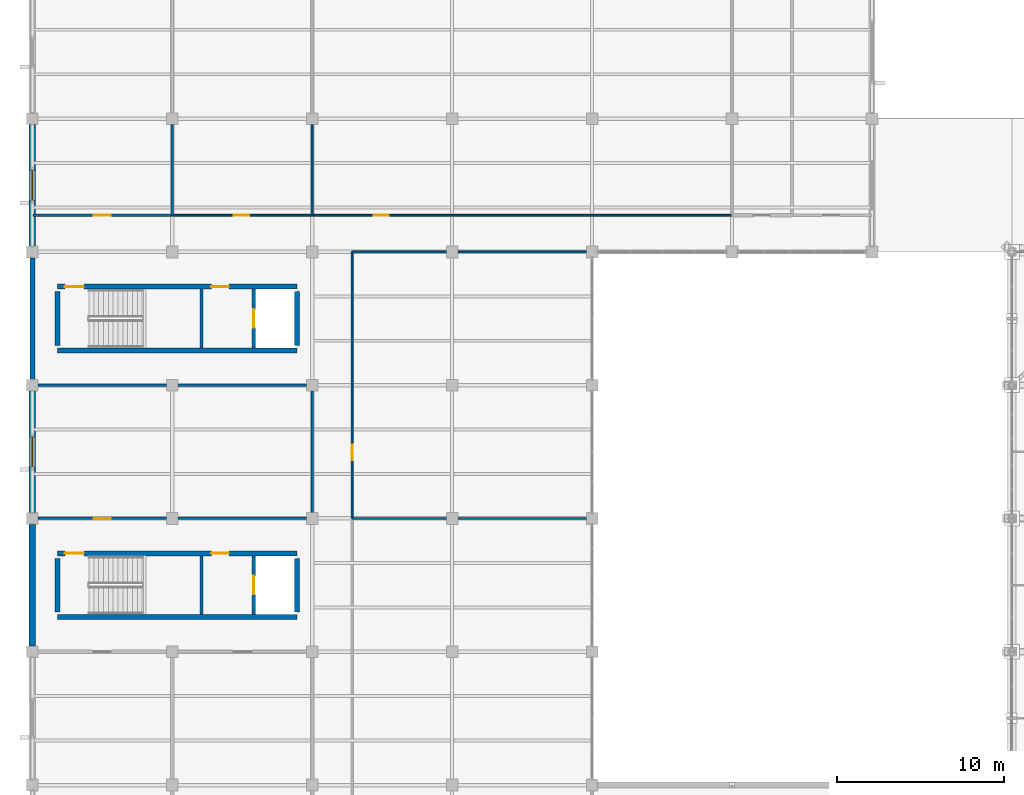
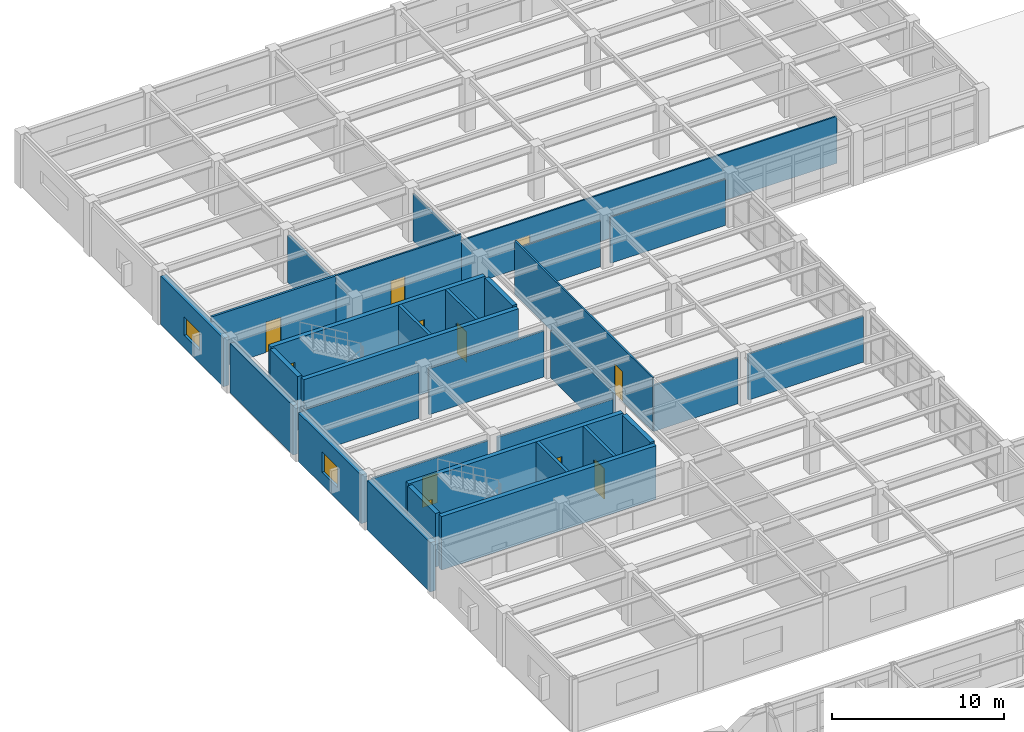
# One storey, part 74 of 138: 31 walls, 11 doors, 2 windows, 13 openings.
"""IFC4 building model written with IfcOpenShell, lengths in metres."""

from ifc_helpers import new_model, si_unit, direction, frame, frame_2d, origin, place, context, subcontext, project, spatial, rectangle, extrude, material, layer, layer_set, type_object, element, fill, save


model = new_model("IFC4")

# Units and contexts
model_context = context("Model", 3, precision=1e-05, world=origin(), true_north=direction((0.0, 1.0)))
body_context = subcontext(model_context, "Body", "Model", "MODEL_VIEW")
ifc_project = project(units=[si_unit("LENGTHUNIT", "METRE"), si_unit("AREAUNIT", "SQUARE_METRE"), si_unit("VOLUMEUNIT", "CUBIC_METRE"), si_unit("PLANEANGLEUNIT", "RADIAN"), si_unit("MASSUNIT", "GRAM", prefix="KILO")], contexts=[model_context])

# Site, building, storey
site_placement = place(None, origin())
site = spatial("IfcSite", under=ifc_project, at=site_placement, CompositionType="ELEMENT")
building_placement = place(site_placement, origin())
building = spatial("IfcBuilding", under=site, at=building_placement, Name="Kranzveld Transit Interchange", CompositionType="ELEMENT")
storey_placement = place(building_placement, frame((0.0, 0.0, 5.43994140625)))
storey = spatial("IfcBuildingStorey", under=building, at=storey_placement, Name="L01", CompositionType="ELEMENT", Elevation=5.43994140625)

# Wall
ifc_material_1 = material(Name="Concrete C40/50", Category="concrete")
ifc_layer_1 = layer(ifc_material_1, 0.300048828125)
ifc_layer_set_1 = layer_set([ifc_layer_1], Name="Concrete C40/50")
wall_type_1 = type_object("IfcWallType", Name="Core Shear Wall RC 300 C40/50", PredefinedType="SHEAR", material=ifc_layer_set_1)
wall_1_placement = place(storey_placement, frame((1.5, 66.090087890625, 0.0), z_axis=(0.0, 0.0, 1.0), x_axis=(1.0, 0.0, 0.0)))
element("IfcWall", 1, at=wall_1_placement, inside=storey, type_object=wall_type_1, Name="L01 Operations Core C1 Shear Wall S", PredefinedType="SHEAR", context=body_context, shape_type="SweptSolid", body=[
    extrude(rectangle(XDim=14.39990234375, YDim=0.300048828125, at=frame_2d((7.199951171875, 0.0))), origin(), (0.0, 0.0, 1.0), 3.800048828125),
])

# Wall, openings, doors
wall_2_placement = place(storey_placement, frame((1.5, 69.909912109375, 0.0), z_axis=(0.0, 0.0, 1.0), x_axis=(1.0, 0.0, 0.0)))
wall_2 = element("IfcWall", 2, at=wall_2_placement, inside=storey, type_object=wall_type_1, Name="L01 Operations Core C1 Shear Wall N", PredefinedType="SHEAR", context=body_context, shape_type="SweptSolid", body=[
    extrude(rectangle(XDim=14.39990234375, YDim=0.300048828125, at=frame_2d((7.199951171875, 0.0))), origin(), (0.0, 0.0, 1.0), 3.800048828125),
])
opening_1_placement = place(wall_2_placement, frame((0.449951171875, 0.0, 0.0), z_axis=(0.0, 0.0, 1.0), x_axis=(1.0, 0.0, 0.0)))
opening_1 = element("IfcOpeningElement", 3, at=opening_1_placement, cuts=wall_2, Name="Opening D-ST-C1-L01", PredefinedType="OPENING", context=body_context, shape_type="SweptSolid", body=[
    extrude(rectangle(XDim=1.14990234375, YDim=2.14990234375, at=frame_2d((0.574951171875, 1.074951171875))), frame((0.0, 0.159912109375, 0.0), z_axis=(0.0, -1.0, 0.0), x_axis=(1.0, 0.0, 0.0)), (0.0, 0.0, 1.0), 0.320068359375),
])
opening_2_placement = place(wall_2_placement, frame((9.25, 0.0, 0.0), z_axis=(0.0, 0.0, 1.0), x_axis=(1.0, 0.0, 0.0)))
opening_2 = element("IfcOpeningElement", 4, at=opening_2_placement, cuts=wall_2, Name="Opening D-LB-C1-L01", PredefinedType="OPENING", context=body_context, shape_type="SweptSolid", body=[
    extrude(rectangle(XDim=1.050048828125, YDim=2.14990234375, at=frame_2d((0.52490234375, 1.074951171875))), frame((0.0, 0.159912109375, 0.0), z_axis=(0.0, -1.0, 0.0), x_axis=(1.0, 0.0, 0.0)), (0.0, 0.0, 1.0), 0.320068359375),
])
ifc_material_2 = material(Name="Steel S355JR", Category="steel")
door_type_1 = type_object("IfcDoorType", Name="Lift Lobby Fire Door 1050x2150 FD120S", OperationType="NOTDEFINED", PredefinedType="DOOR", material=ifc_material_2)
door_1_placement = place(opening_2_placement, origin())
door_1 = element("IfcDoor", 5, at=door_1_placement, inside=storey, type_object=door_type_1, Name="L01 Operations Core C1 Lift Protected Lobby Door", OperationType="SINGLE_SWING_RIGHT", OverallHeight=2.14990234375, OverallWidth=1.050048828125, PredefinedType="DOOR", context=body_context, shape_type="SweptSolid", body=[
    extrude(rectangle(XDim=1.050048828125, YDim=2.14990234375, at=frame_2d((0.52490234375, 1.074951171875))), frame((0.0, 0.02490234375, 0.0), z_axis=(0.0, -1.0, 0.0), x_axis=(1.0, 0.0, 0.0)), (0.0, 0.0, 1.0), 0.050048828125),
])
fill(opening_2, door_1)
ifc_material_3 = material(Name="Steel S355JR", Category="steel")
door_type_2 = type_object("IfcDoorType", Name="Stair Core Fire Door 1150x2150 FD120S", OperationType="NOTDEFINED", PredefinedType="DOOR", material=ifc_material_3)
door_2_placement = place(opening_1_placement, origin())
door_2 = element("IfcDoor", 6, at=door_2_placement, inside=storey, type_object=door_type_2, Name="L01 ST-C1 Protected Stair Door", OperationType="SINGLE_SWING_RIGHT", OverallHeight=2.14990234375, OverallWidth=1.14990234375, PredefinedType="DOOR", context=body_context, shape_type="SweptSolid", body=[
    extrude(rectangle(XDim=1.14990234375, YDim=2.14990234375, at=frame_2d((0.574951171875, 1.074951171875))), frame((0.0, 0.02490234375, 0.0), z_axis=(0.0, -1.0, 0.0), x_axis=(1.0, 0.0, 0.0)), (0.0, 0.0, 1.0), 0.050048828125),
])
fill(opening_1, door_2)

# Walls
for number, where, z_axis, x_axis, name in (
    (7, (1.5, 66.389892578125, 0.0), (0.0, 0.0, 1.0), (0.0, 1.0, 0.0), "L01 Operations Core C1 Shear Wall W"),
    (8, (15.89990234375, 66.389892578125, 0.0), (0.0, 0.0, 1.0), (0.0, 1.0, 0.0), "L01 Operations Core C1 Shear Wall E"),
):
    element("IfcWall", number, at=place(storey_placement, frame(where, z_axis=z_axis, x_axis=x_axis)), inside=storey, type_object=wall_type_1, Name=name, PredefinedType="SHEAR", context=body_context, shape_type="SweptSolid", body=[
        extrude(rectangle(XDim=3.22021484375, YDim=0.300048828125, at=frame_2d((1.610107421875, 0.0))), origin(), (0.0, 0.0, 1.0), 3.800048828125),
    ])
wall_3_placement = place(storey_placement, frame((1.5, 82.090087890625, 0.0), z_axis=(0.0, 0.0, 1.0), x_axis=(1.0, 0.0, 0.0)))
element("IfcWall", 9, at=wall_3_placement, inside=storey, type_object=wall_type_1, Name="L01 Operations Core C2 Shear Wall S", PredefinedType="SHEAR", context=body_context, shape_type="SweptSolid", body=[
    extrude(rectangle(XDim=14.39990234375, YDim=0.300048828125, at=frame_2d((7.199951171875, 0.0))), origin(), (0.0, 0.0, 1.0), 3.800048828125),
])

# Wall, openings, doors
wall_4_placement = place(storey_placement, frame((1.5, 85.909912109375, 0.0), z_axis=(0.0, 0.0, 1.0), x_axis=(1.0, 0.0, 0.0)))
wall_4 = element("IfcWall", 10, at=wall_4_placement, inside=storey, type_object=wall_type_1, Name="L01 Operations Core C2 Shear Wall N", PredefinedType="SHEAR", context=body_context, shape_type="SweptSolid", body=[
    extrude(rectangle(XDim=14.39990234375, YDim=0.300048828125, at=frame_2d((7.199951171875, 0.0))), origin(), (0.0, 0.0, 1.0), 3.800048828125),
])
opening_3_placement = place(wall_4_placement, frame((0.449951171875, 0.0, 0.0), z_axis=(0.0, 0.0, 1.0), x_axis=(1.0, 0.0, 0.0)))
opening_3 = element("IfcOpeningElement", 11, at=opening_3_placement, cuts=wall_4, Name="Opening D-ST-C2-L01", PredefinedType="OPENING", context=body_context, shape_type="SweptSolid", body=[
    extrude(rectangle(XDim=1.14990234375, YDim=2.14990234375, at=frame_2d((0.574951171875, 1.074951171875))), frame((0.0, 0.159912109375, 0.0), z_axis=(0.0, -1.0, 0.0), x_axis=(1.0, 0.0, 0.0)), (0.0, 0.0, 1.0), 0.320068359375),
])
opening_4_placement = place(wall_4_placement, frame((9.25, 0.0, 0.0), z_axis=(0.0, 0.0, 1.0), x_axis=(1.0, 0.0, 0.0)))
opening_4 = element("IfcOpeningElement", 12, at=opening_4_placement, cuts=wall_4, Name="Opening D-LB-C2-L01", PredefinedType="OPENING", context=body_context, shape_type="SweptSolid", body=[
    extrude(rectangle(XDim=1.050048828125, YDim=2.14990234375, at=frame_2d((0.52490234375, 1.074951171875))), frame((0.0, 0.159912109375, 0.0), z_axis=(0.0, -1.0, 0.0), x_axis=(1.0, 0.0, 0.0)), (0.0, 0.0, 1.0), 0.320068359375),
])
door_3_placement = place(opening_4_placement, origin())
door_3 = element("IfcDoor", 13, at=door_3_placement, inside=storey, type_object=door_type_1, Name="L01 Operations Core C2 Lift Protected Lobby Door", OperationType="SINGLE_SWING_RIGHT", OverallHeight=2.14990234375, OverallWidth=1.050048828125, PredefinedType="DOOR", context=body_context, shape_type="SweptSolid", body=[
    extrude(rectangle(XDim=1.050048828125, YDim=2.14990234375, at=frame_2d((0.52490234375, 1.074951171875))), frame((0.0, 0.02490234375, 0.0), z_axis=(0.0, -1.0, 0.0), x_axis=(1.0, 0.0, 0.0)), (0.0, 0.0, 1.0), 0.050048828125),
])
fill(opening_4, door_3)
door_4_placement = place(opening_3_placement, origin())
door_4 = element("IfcDoor", 14, at=door_4_placement, inside=storey, type_object=door_type_2, Name="L01 ST-C2 Protected Stair Door", OperationType="SINGLE_SWING_RIGHT", OverallHeight=2.14990234375, OverallWidth=1.14990234375, PredefinedType="DOOR", context=body_context, shape_type="SweptSolid", body=[
    extrude(rectangle(XDim=1.14990234375, YDim=2.14990234375, at=frame_2d((0.574951171875, 1.074951171875))), frame((0.0, 0.02490234375, 0.0), z_axis=(0.0, -1.0, 0.0), x_axis=(1.0, 0.0, 0.0)), (0.0, 0.0, 1.0), 0.050048828125),
])
fill(opening_3, door_4)

# Walls
for number, where, z_axis, x_axis, name in (
    (15, (1.5, 82.389892578125, 0.0), (0.0, 0.0, 1.0), (0.0, 1.0, 0.0), "L01 Operations Core C2 Shear Wall W"),
    (16, (15.89990234375, 82.389892578125, 0.0), (0.0, 0.0, 1.0), (0.0, 1.0, 0.0), "L01 Operations Core C2 Shear Wall E"),
):
    element("IfcWall", number, at=place(storey_placement, frame(where, z_axis=z_axis, x_axis=x_axis)), inside=storey, type_object=wall_type_1, Name=name, PredefinedType="SHEAR", context=body_context, shape_type="SweptSolid", body=[
        extrude(rectangle(XDim=3.22021484375, YDim=0.300048828125, at=frame_2d((1.610107421875, 0.0))), origin(), (0.0, 0.0, 1.0), 3.800048828125),
    ])
ifc_material_4 = material(Name="Pretoria red-purple clinker clay face brick, 35 MPa", Category="masonry")
ifc_layer_2 = layer(ifc_material_4, 0.3798828125)
ifc_layer_set_2 = layer_set([ifc_layer_2], Name="Pretoria red-purple clinker clay face brick, 35 MPa")
wall_type_2 = type_object("IfcWallType", Name="Exterior Cavity Wall Red Clinker 380", PredefinedType="SOLIDWALL", material=ifc_layer_set_2)
wall_5_placement = place(storey_placement, frame((0.0, 64.35009765625, 0.0), z_axis=(0.0, 0.0, 1.0), x_axis=(0.0, 1.0, 0.0)))
element("IfcWall", 17, at=wall_5_placement, inside=storey, type_object=wall_type_2, Name="L01 Clinker Facade Wall 01/J-01/K", PredefinedType="SOLIDWALL", context=body_context, shape_type="SweptSolid", body=[
    extrude(rectangle(XDim=7.2998046875, YDim=0.3798828125, at=frame_2d((3.64990234375, 0.0))), origin(), (0.0, 0.0, 1.0), 3.5),
])

# Wall, opening, window
wall_6_placement = place(storey_placement, frame((0.0, 72.35009765625, 0.0), z_axis=(0.0, 0.0, 1.0), x_axis=(0.0, 1.0, 0.0)))
wall_6 = element("IfcWall", 18, at=wall_6_placement, inside=storey, type_object=wall_type_2, Name="L01 Clinker Facade Wall 01/K-01/L", PredefinedType="SOLIDWALL", context=body_context, shape_type="SweptSolid", body=[
    extrude(rectangle(XDim=7.2998046875, YDim=0.3798828125, at=frame_2d((3.64990234375, 0.0))), origin(), (0.0, 0.0, 1.0), 3.442138671875),
])
opening_5_placement = place(wall_6_placement, frame((2.75, 0.0, 0.89990234375), z_axis=(0.0, 0.0, 1.0), x_axis=(1.0, 0.0, 0.0)))
opening_5 = element("IfcOpeningElement", 19, at=opening_5_placement, cuts=wall_6, Name="Opening W-11", PredefinedType="OPENING", context=body_context, shape_type="SweptSolid", body=[
    extrude(rectangle(XDim=1.800048828125, YDim=1.449951171875, at=frame_2d((0.89990234375, 0.72509765625))), frame((0.0, 0.199951171875, 0.0), z_axis=(0.0, -1.0, 0.0), x_axis=(1.0, 0.0, 0.0)), (0.0, 0.0, 1.0), 0.39990234375),
])
ifc_material_5 = material(Name="Solar-control double glazing", Category="glass")
window_type_1 = type_object("IfcWindowType", Name="Window Office Double 1800x1450", PartitioningType="DOUBLE_PANEL_VERTICAL", PredefinedType="WINDOW", material=ifc_material_5)
window_1_placement = place(opening_5_placement, origin())
window_1 = element("IfcWindow", 20, at=window_1_placement, inside=storey, type_object=window_type_1, Name="L01 Facade Window 01/K", OverallHeight=1.449951171875, OverallWidth=1.800048828125, PartitioningType="DOUBLE_PANEL_VERTICAL", PredefinedType="WINDOW", context=body_context, shape_type="SweptSolid", body=[
    extrude(rectangle(XDim=1.800048828125, YDim=1.449951171875, at=frame_2d((0.89990234375, 0.72509765625))), frame((0.0, 0.030029296875, 0.0), z_axis=(0.0, -1.0, 0.0), x_axis=(1.0, 0.0, 0.0)), (0.0, 0.0, 1.0), 0.06005859375),
])
fill(opening_5, window_1)

wall_7_placement = place(storey_placement, frame((0.0, 88.35009765625, 0.0), z_axis=(0.0, 0.0, 1.0), x_axis=(0.0, 1.0, 0.0)))
wall_7 = element("IfcWall", 21, at=wall_7_placement, inside=storey, type_object=wall_type_2, Name="L01 Clinker Facade Wall 01/M-01/N", PredefinedType="SOLIDWALL", context=body_context, shape_type="SweptSolid", body=[
    extrude(rectangle(XDim=7.2998046875, YDim=0.3798828125, at=frame_2d((3.64990234375, 0.0))), origin(), (0.0, 0.0, 1.0), 3.442138671875),
])
opening_6_placement = place(wall_7_placement, frame((2.75, 0.0, 0.89990234375), z_axis=(0.0, 0.0, 1.0), x_axis=(1.0, 0.0, 0.0)))
opening_6 = element("IfcOpeningElement", 22, at=opening_6_placement, cuts=wall_7, Name="Opening W-12", PredefinedType="OPENING", context=body_context, shape_type="SweptSolid", body=[
    extrude(rectangle(XDim=1.800048828125, YDim=1.300048828125, at=frame_2d((0.89990234375, 0.64990234375))), frame((0.0, 0.199951171875, 0.0), z_axis=(0.0, -1.0, 0.0), x_axis=(1.0, 0.0, 0.0)), (0.0, 0.0, 1.0), 0.39990234375),
])
ifc_material_6 = material(Name="Solar-control double glazing", Category="glass")
window_type_2 = type_object("IfcWindowType", Name="Window Studio Double 1800x1300", PartitioningType="DOUBLE_PANEL_VERTICAL", PredefinedType="WINDOW", material=ifc_material_6)
window_2_placement = place(opening_6_placement, origin())
window_2 = element("IfcWindow", 23, at=window_2_placement, inside=storey, type_object=window_type_2, Name="L01 Facade Window 01/M", OverallHeight=1.300048828125, OverallWidth=1.800048828125, PartitioningType="DOUBLE_PANEL_VERTICAL", PredefinedType="WINDOW", context=body_context, shape_type="SweptSolid", body=[
    extrude(rectangle(XDim=1.800048828125, YDim=1.300048828125, at=frame_2d((0.89990234375, 0.64990234375))), frame((0.0, 0.030029296875, 0.0), z_axis=(0.0, -1.0, 0.0), x_axis=(1.0, 0.0, 0.0)), (0.0, 0.0, 1.0), 0.06005859375),
])
fill(opening_6, window_2)

# Wall
ifc_material_7 = material(Name="Ochre Pretoria sandstone cladding, 45 MPa", Category="masonry")
ifc_layer_3 = layer(ifc_material_7, 0.300048828125)
ifc_layer_set_3 = layer_set([ifc_layer_3], Name="Ochre Pretoria sandstone cladding, 45 MPa")
wall_type_3 = type_object("IfcWallType", Name="Exterior Sandstone Spandrel Wall 300", PredefinedType="SOLIDWALL", material=ifc_layer_set_3)
wall_8_placement = place(storey_placement, frame((0.0, 80.35009765625, 0.0), z_axis=(0.0, 0.0, 1.0), x_axis=(0.0, 1.0, 0.0)))
element("IfcWall", 24, at=wall_8_placement, inside=storey, type_object=wall_type_3, Name="L01 Clinker Facade Wall 01/L-01/M", PredefinedType="SOLIDWALL", context=body_context, shape_type="SweptSolid", body=[
    extrude(rectangle(XDim=7.2998046875, YDim=0.300048828125, at=frame_2d((3.64990234375, 0.0))), origin(), (0.0, 0.0, 1.0), 3.5),
])

# Wall, opening, door
ifc_material_8 = material(Name="Clay masonry unit wall, 20 MPa", Category="masonry")
ifc_layer_4 = layer(ifc_material_8, 0.14990234375)
ifc_layer_set_4 = layer_set([ifc_layer_4], Name="Clay masonry unit wall, 20 MPa")
wall_type_4 = type_object("IfcWallType", Name="Fire Rated Partition Wall 150 EI60", PredefinedType="PARTITIONING", material=ifc_layer_set_4)
wall_9_placement = place(storey_placement, frame((0.340087890625, 72.0, 0.0), z_axis=(0.0, 0.0, 1.0), x_axis=(1.0, 0.0, 0.0)))
wall_9 = element("IfcWall", 25, at=wall_9_placement, inside=storey, type_object=wall_type_4, Name="L01 Partition IW-L01-L01V5M-FRT-143-0", PredefinedType="PARTITIONING", context=body_context, shape_type="SweptSolid", body=[
    extrude(rectangle(XDim=7.719970703125, YDim=0.14990234375, at=frame_2d((3.85986328125, 0.0))), origin(), (0.0, 0.0, 1.0), 3.260498046875),
])
opening_7_placement = place(wall_9_placement, frame((3.360107421875, 0.0, 0.0), z_axis=(0.0, 0.0, 1.0), x_axis=(1.0, 0.0, 0.0)))
opening_7 = element("IfcOpeningElement", 26, at=opening_7_placement, cuts=wall_9, Name="Opening D-143", PredefinedType="OPENING", context=body_context, shape_type="SweptSolid", body=[
    extrude(rectangle(XDim=1.0, YDim=2.14990234375, at=frame_2d((0.5, 1.074951171875))), frame((0.0, 0.0849609375, 0.0), z_axis=(0.0, -1.0, 0.0), x_axis=(1.0, 0.0, 0.0)), (0.0, 0.0, 1.0), 0.169921875),
])
ifc_material_9 = material(Name="Steel S355JR", Category="steel")
door_type_3 = type_object("IfcDoorType", Name="Fire Door Single 1000x2150 FD60S", OperationType="NOTDEFINED", PredefinedType="DOOR", material=ifc_material_9)
door_5_placement = place(opening_7_placement, origin())
door_5 = element("IfcDoor", 27, at=door_5_placement, inside=storey, type_object=door_type_3, Name="L01 Interior Door D-143", OperationType="SINGLE_SWING_LEFT", OverallHeight=2.14990234375, OverallWidth=1.0, PredefinedType="DOOR", context=body_context, shape_type="SweptSolid", body=[
    extrude(rectangle(XDim=1.0, YDim=2.14990234375, at=frame_2d((0.5, 1.074951171875))), frame((0.0, 0.02490234375, 0.0), z_axis=(0.0, -1.0, 0.0), x_axis=(1.0, 0.0, 0.0)), (0.0, 0.0, 1.0), 0.050048828125),
])
fill(opening_7, door_5)

wall_10_placement = place(storey_placement, frame((0.0400390625, 90.199951171875, 0.0), z_axis=(0.0, 0.0, 1.0), x_axis=(1.0, 0.0, 0.0)))
wall_10 = element("IfcWall", 28, at=wall_10_placement, inside=storey, type_object=wall_type_4, Name="L01 Partition IW-L01-L01V5N-FRT-127-0", PredefinedType="PARTITIONING", context=body_context, shape_type="SweptSolid", body=[
    extrude(rectangle(XDim=8.35986328125, YDim=0.14990234375, at=frame_2d((4.179931640625, 0.0))), origin(), (0.0, 0.0, 1.0), 3.800048828125),
])
opening_8_placement = place(wall_10_placement, frame((3.659912109375, 0.0, 0.0), z_axis=(0.0, 0.0, 1.0), x_axis=(1.0, 0.0, 0.0)))
opening_8 = element("IfcOpeningElement", 29, at=opening_8_placement, cuts=wall_10, Name="Opening D-127", PredefinedType="OPENING", context=body_context, shape_type="SweptSolid", body=[
    extrude(rectangle(XDim=1.0, YDim=2.14990234375, at=frame_2d((0.5, 1.074951171875))), frame((0.0, 0.0849609375, 0.0), z_axis=(0.0, -1.0, 0.0), x_axis=(1.0, 0.0, 0.0)), (0.0, 0.0, 1.0), 0.169921875),
])
door_6_placement = place(opening_8_placement, origin())
door_6 = element("IfcDoor", 30, at=door_6_placement, inside=storey, type_object=door_type_3, Name="L01 Interior Door D-127", OperationType="SINGLE_SWING_LEFT", OverallHeight=2.14990234375, OverallWidth=1.0, PredefinedType="DOOR", context=body_context, shape_type="SweptSolid", body=[
    extrude(rectangle(XDim=1.0, YDim=2.14990234375, at=frame_2d((0.5, 1.074951171875))), frame((0.0, 0.02490234375, 0.0), z_axis=(0.0, -1.0, 0.0), x_axis=(1.0, 0.0, 0.0)), (0.0, 0.0, 1.0), 0.050048828125),
])
fill(opening_8, door_6)

# Walls
for number, where, z_axis, x_axis, name in (
    (31, (8.739990234375, 72.0, 0.0), (0.0, 0.0, 1.0), (1.0, 0.0, 0.0), "L01 Partition IW-L01-L01V5M-FRT-143-1"),
    (32, (0.340087890625, 80.0, 0.0), (0.0, 0.0, 1.0), (1.0, 0.0, 0.0), "L01 Partition IW-L01-L01V5M-BCK-143-0"),
    (33, (8.739990234375, 80.0, 0.0), (0.0, 0.0, 1.0), (1.0, 0.0, 0.0), "L01 Partition IW-L01-L01V5M-BCK-143-1"),
):
    element("IfcWall", number, at=place(storey_placement, frame(where, z_axis=z_axis, x_axis=x_axis)), inside=storey, type_object=wall_type_4, Name=name, PredefinedType="PARTITIONING", context=body_context, shape_type="SweptSolid", body=[
        extrude(rectangle(XDim=7.719970703125, YDim=0.14990234375, at=frame_2d((3.85986328125, 0.0))), origin(), (0.0, 0.0, 1.0), 3.260498046875),
    ])
wall_11_placement = place(storey_placement, frame((16.800048828125, 72.340087890625, 0.0), z_axis=(0.0, 0.0, 1.0), x_axis=(0.0, 1.0, 0.0)))
element("IfcWall", 34, at=wall_11_placement, inside=storey, type_object=wall_type_4, Name="L01 Partition IW-L01-L01V5M-E-143-0", PredefinedType="PARTITIONING", context=body_context, shape_type="SweptSolid", body=[
    extrude(rectangle(XDim=7.31982421875, YDim=0.14990234375, at=frame_2d((3.659912109375, 0.0))), origin(), (0.0, 0.0, 1.0), 3.336669921875),
])
wall_12_placement = place(storey_placement, frame((8.39990234375, 90.199951171875, 0.0), z_axis=(0.0, 0.0, 1.0), x_axis=(0.0, 1.0, 0.0)))
element("IfcWall", 35, at=wall_12_placement, inside=storey, type_object=wall_type_4, Name="L01 Partition IW-L01-L01V5N-E-127-0", PredefinedType="PARTITIONING", context=body_context, shape_type="SweptSolid", body=[
    extrude(rectangle(XDim=5.4599609375, YDim=0.14990234375, at=frame_2d((2.72998046875, 0.0))), origin(), (0.0, 0.0, 1.0), 3.336669921875),
])
ifc_material_10 = material(Name="Clay masonry unit wall, 20 MPa", Category="masonry")
ifc_layer_5 = layer(ifc_material_10, 0.125)
ifc_layer_set_5 = layer_set([ifc_layer_5], Name="Clay masonry unit wall, 20 MPa")
wall_type_5 = type_object("IfcWallType", Name="Internal Blockwork Partition 125", PredefinedType="PARTITIONING", material=ifc_layer_set_5)
wall_13_placement = place(storey_placement, frame((19.199951171875, 72.0, 0.0), z_axis=(0.0, 0.0, 1.0), x_axis=(1.0, 0.0, 0.0)))
element("IfcWall", 36, at=wall_13_placement, inside=storey, type_object=wall_type_5, Name="L01 Partition IW-L01-L01V5E-N-135-0", PredefinedType="PARTITIONING", context=body_context, shape_type="SweptSolid", body=[
    extrude(rectangle(XDim=5.66015625, YDim=0.125, at=frame_2d((2.830078125, 0.0))), origin(), (0.0, 0.0, 1.0), 3.260498046875),
])
wall_14_placement = place(storey_placement, frame((25.5400390625, 72.0, 0.0), z_axis=(0.0, 0.0, 1.0), x_axis=(1.0, 0.0, 0.0)))
element("IfcWall", 37, at=wall_14_placement, inside=storey, type_object=wall_type_5, Name="L01 Partition IW-L01-L01V5E-N-135-1", PredefinedType="PARTITIONING", context=body_context, shape_type="SweptSolid", body=[
    extrude(rectangle(XDim=7.719970703125, YDim=0.125, at=frame_2d((3.85986328125, 0.0))), origin(), (0.0, 0.0, 1.0), 3.260498046875),
])

# Wall, opening, door
ifc_material_11 = material(Name="Clay masonry unit wall, 20 MPa", Category="masonry")
ifc_layer_6 = layer(ifc_material_11, 0.114990234375)
ifc_layer_set_6 = layer_set([ifc_layer_6], Name="Clay masonry unit wall, 20 MPa")
wall_type_6 = type_object("IfcWallType", Name="Internal Masonry Partition 115", PredefinedType="PARTITIONING", material=ifc_layer_set_6)
wall_15_placement = place(storey_placement, frame((19.199951171875, 72.0, 0.0), z_axis=(0.0, 0.0, 1.0), x_axis=(0.0, 1.0, 0.0)))
wall_15 = element("IfcWall", 38, at=wall_15_placement, inside=storey, type_object=wall_type_6, Name="L01 Partition IW-L01-L01V5E-FRT-136-0", PredefinedType="PARTITIONING", context=body_context, shape_type="SweptSolid", body=[
    extrude(rectangle(XDim=16.0, YDim=0.114990234375, at=frame_2d((8.0, 0.0))), origin(), (0.0, 0.0, 1.0), 3.800048828125),
])
opening_9_placement = place(wall_15_placement, frame((4.419921875, 0.0, 0.0), z_axis=(0.0, 0.0, 1.0), x_axis=(-1.0, 0.0, 0.0)))
opening_9 = element("IfcOpeningElement", 39, at=opening_9_placement, cuts=wall_15, Name="Opening D-136", PredefinedType="OPENING", context=body_context, shape_type="SweptSolid", body=[
    extrude(rectangle(XDim=0.919921875, YDim=2.1201171875, at=frame_2d((0.4599609375, 1.06005859375))), frame((0.0, 0.0673828125, 0.0), z_axis=(0.0, -1.0, 0.0), x_axis=(1.0, 0.0, 0.0)), (0.0, 0.0, 1.0), 0.135009765625),
])
ifc_material_12 = material(Name="Bronze-anodised thermally broken aluminium", Category="aluminium")
door_type_4 = type_object("IfcDoorType", Name="Consulting Room Door 920x2120", OperationType="NOTDEFINED", PredefinedType="DOOR", material=ifc_material_12)
door_7_placement = place(opening_9_placement, origin())
door_7 = element("IfcDoor", 40, at=door_7_placement, inside=storey, type_object=door_type_4, Name="L01 Interior Door D-136", OperationType="SINGLE_SWING_RIGHT", OverallHeight=2.1201171875, OverallWidth=0.919921875, PredefinedType="DOOR", context=body_context, shape_type="SweptSolid", body=[
    extrude(rectangle(XDim=0.919921875, YDim=2.1201171875, at=frame_2d((0.4599609375, 1.06005859375))), frame((0.0, 0.02490234375, 0.0), z_axis=(0.0, -1.0, 0.0), x_axis=(1.0, 0.0, 0.0)), (0.0, 0.0, 1.0), 0.050048828125),
])
fill(opening_9, door_7)

wall_16_placement = place(storey_placement, frame((8.39990234375, 90.199951171875, 0.0), z_axis=(0.0, 0.0, 1.0), x_axis=(1.0, 0.0, 0.0)))
wall_16 = element("IfcWall", 41, at=wall_16_placement, inside=storey, type_object=wall_type_6, Name="L01 Partition IW-L01-L01V5N-FRT-128-0", PredefinedType="PARTITIONING", context=body_context, shape_type="SweptSolid", body=[
    extrude(rectangle(XDim=8.400146484375, YDim=0.114990234375, at=frame_2d((4.2001953125, 0.0))), origin(), (0.0, 0.0, 1.0), 3.800048828125),
])
opening_10_placement = place(wall_16_placement, frame((3.699951171875, 0.0, 0.0), z_axis=(0.0, 0.0, 1.0), x_axis=(1.0, 0.0, 0.0)))
opening_10 = element("IfcOpeningElement", 42, at=opening_10_placement, cuts=wall_16, Name="Opening D-128", PredefinedType="OPENING", context=body_context, shape_type="SweptSolid", body=[
    extrude(rectangle(XDim=0.919921875, YDim=2.1201171875, at=frame_2d((0.4599609375, 1.06005859375))), frame((0.0, 0.0673828125, 0.0), z_axis=(0.0, -1.0, 0.0), x_axis=(1.0, 0.0, 0.0)), (0.0, 0.0, 1.0), 0.135009765625),
])
door_8_placement = place(opening_10_placement, origin())
door_8 = element("IfcDoor", 43, at=door_8_placement, inside=storey, type_object=door_type_4, Name="L01 Interior Door D-128", OperationType="SINGLE_SWING_RIGHT", OverallHeight=2.1201171875, OverallWidth=0.919921875, PredefinedType="DOOR", context=body_context, shape_type="SweptSolid", body=[
    extrude(rectangle(XDim=0.919921875, YDim=2.1201171875, at=frame_2d((0.4599609375, 1.06005859375))), frame((0.0, 0.02490234375, 0.0), z_axis=(0.0, -1.0, 0.0), x_axis=(1.0, 0.0, 0.0)), (0.0, 0.0, 1.0), 0.050048828125),
])
fill(opening_10, door_8)

# Walls
wall_17_placement = place(storey_placement, frame((19.199951171875, 88.0, 0.0), z_axis=(0.0, 0.0, 1.0), x_axis=(1.0, 0.0, 0.0)))
element("IfcWall", 44, at=wall_17_placement, inside=storey, type_object=wall_type_6, Name="L01 Partition IW-L01-L01V5E-N-136-0", PredefinedType="PARTITIONING", context=body_context, shape_type="SweptSolid", body=[
    extrude(rectangle(XDim=5.66015625, YDim=0.114990234375, at=frame_2d((2.830078125, 0.0))), origin(), (0.0, 0.0, 1.0), 3.260498046875),
])
wall_18_placement = place(storey_placement, frame((25.5400390625, 88.0, 0.0), z_axis=(0.0, 0.0, 1.0), x_axis=(1.0, 0.0, 0.0)))
element("IfcWall", 45, at=wall_18_placement, inside=storey, type_object=wall_type_6, Name="L01 Partition IW-L01-L01V5E-N-136-1", PredefinedType="PARTITIONING", context=body_context, shape_type="SweptSolid", body=[
    extrude(rectangle(XDim=7.719970703125, YDim=0.114990234375, at=frame_2d((3.85986328125, 0.0))), origin(), (0.0, 0.0, 1.0), 3.260498046875),
])
wall_19_placement = place(storey_placement, frame((16.800048828125, 90.199951171875, 0.0), z_axis=(0.0, 0.0, 1.0), x_axis=(0.0, 1.0, 0.0)))
element("IfcWall", 46, at=wall_19_placement, inside=storey, type_object=wall_type_6, Name="L01 Partition IW-L01-L01V5N-E-128-0", PredefinedType="PARTITIONING", context=body_context, shape_type="SweptSolid", body=[
    extrude(rectangle(XDim=5.4599609375, YDim=0.114990234375, at=frame_2d((2.72998046875, 0.0))), origin(), (0.0, 0.0, 1.0), 3.336669921875),
])
ifc_material_13 = material(Name="Concrete C40/50", Category="concrete")
ifc_layer_7 = layer(ifc_material_13, 0.199951171875)
ifc_layer_set_7 = layer_set([ifc_layer_7], Name="Concrete C40/50")
wall_type_7 = type_object("IfcWallType", Name="Lift Shaft Enclosure Wall RC 200 EI120", PredefinedType="SHEAR", material=ifc_layer_set_7)
wall_20_placement = place(storey_placement, frame((10.14990234375, 66.239990234375, 0.0), z_axis=(0.0, 0.0, 1.0), x_axis=(0.0, 1.0, 0.0)))
element("IfcWall", 47, at=wall_20_placement, inside=storey, type_object=wall_type_7, Name="L01 Operations Core C1 Stair-Lobby Dividing Wall", PredefinedType="SHEAR", context=body_context, shape_type="SweptSolid", body=[
    extrude(rectangle(XDim=3.52001953125, YDim=0.199951171875, at=frame_2d((1.760009765625, 0.0))), origin(), (0.0, 0.0, 1.0), 3.800048828125),
])

# Wall, opening, door
wall_21_placement = place(storey_placement, frame((13.300048828125, 66.239990234375, 0.0), z_axis=(0.0, 0.0, 1.0), x_axis=(0.0, 1.0, 0.0)))
wall_21 = element("IfcWall", 48, at=wall_21_placement, inside=storey, type_object=wall_type_7, Name="L01 LF-C1 Shaft Front Wall", PredefinedType="SHEAR", context=body_context, shape_type="SweptSolid", body=[
    extrude(rectangle(XDim=3.52001953125, YDim=0.199951171875, at=frame_2d((1.760009765625, 0.0))), origin(), (0.0, 0.0, 1.0), 3.800048828125),
])
opening_11_placement = place(wall_21_placement, frame((1.2099609375, 0.0, 0.0), z_axis=(0.0, 0.0, 1.0), x_axis=(1.0, 0.0, 0.0)))
opening_11 = element("IfcOpeningElement", 49, at=opening_11_placement, cuts=wall_21, Name="Opening LD-LF-C1-L01", PredefinedType="OPENING", context=body_context, shape_type="SweptSolid", body=[
    extrude(rectangle(XDim=1.10009765625, YDim=2.14990234375, at=frame_2d((0.550048828125, 1.074951171875))), frame((0.0, 0.10986328125, 0.0), z_axis=(0.0, -1.0, 0.0), x_axis=(1.0, 0.0, 0.0)), (0.0, 0.0, 1.0), 0.219970703125),
])
ifc_material_14 = material(Name="Steel S355JR", Category="steel")
door_type_5 = type_object("IfcDoorType", Name="Lift Landing Sliding Door 1100x2150 FD120S", OperationType="NOTDEFINED", PredefinedType="DOOR", material=ifc_material_14)
door_9_placement = place(opening_11_placement, origin())
door_9 = element("IfcDoor", 50, at=door_9_placement, inside=storey, type_object=door_type_5, Name="L01 LF-C1 Sliding Landing Door", OperationType="DOUBLE_DOOR_SLIDING", OverallHeight=2.14990234375, OverallWidth=1.10009765625, PredefinedType="DOOR", context=body_context, shape_type="SweptSolid", body=[
    extrude(rectangle(XDim=1.10009765625, YDim=2.14990234375, at=frame_2d((0.550048828125, 1.074951171875))), frame((0.0, 0.02490234375, 0.0), z_axis=(0.0, -1.0, 0.0), x_axis=(1.0, 0.0, 0.0)), (0.0, 0.0, 1.0), 0.050048828125),
])
fill(opening_11, door_9)

# Wall
wall_22_placement = place(storey_placement, frame((10.14990234375, 82.239990234375, 0.0), z_axis=(0.0, 0.0, 1.0), x_axis=(0.0, 1.0, 0.0)))
element("IfcWall", 51, at=wall_22_placement, inside=storey, type_object=wall_type_7, Name="L01 Operations Core C2 Stair-Lobby Dividing Wall", PredefinedType="SHEAR", context=body_context, shape_type="SweptSolid", body=[
    extrude(rectangle(XDim=3.52001953125, YDim=0.199951171875, at=frame_2d((1.760009765625, 0.0))), origin(), (0.0, 0.0, 1.0), 3.800048828125),
])

# Wall, opening, door
wall_23_placement = place(storey_placement, frame((13.300048828125, 82.239990234375, 0.0), z_axis=(0.0, 0.0, 1.0), x_axis=(0.0, 1.0, 0.0)))
wall_23 = element("IfcWall", 52, at=wall_23_placement, inside=storey, type_object=wall_type_7, Name="L01 LF-C2 Shaft Front Wall", PredefinedType="SHEAR", context=body_context, shape_type="SweptSolid", body=[
    extrude(rectangle(XDim=3.52001953125, YDim=0.199951171875, at=frame_2d((1.760009765625, 0.0))), origin(), (0.0, 0.0, 1.0), 3.800048828125),
])
opening_12_placement = place(wall_23_placement, frame((1.2099609375, 0.0, 0.0), z_axis=(0.0, 0.0, 1.0), x_axis=(1.0, 0.0, 0.0)))
opening_12 = element("IfcOpeningElement", 53, at=opening_12_placement, cuts=wall_23, Name="Opening LD-LF-C2-L01", PredefinedType="OPENING", context=body_context, shape_type="SweptSolid", body=[
    extrude(rectangle(XDim=1.10009765625, YDim=2.14990234375, at=frame_2d((0.550048828125, 1.074951171875))), frame((0.0, 0.10986328125, 0.0), z_axis=(0.0, -1.0, 0.0), x_axis=(1.0, 0.0, 0.0)), (0.0, 0.0, 1.0), 0.219970703125),
])
door_10_placement = place(opening_12_placement, origin())
door_10 = element("IfcDoor", 54, at=door_10_placement, inside=storey, type_object=door_type_5, Name="L01 LF-C2 Sliding Landing Door", OperationType="DOUBLE_DOOR_SLIDING", OverallHeight=2.14990234375, OverallWidth=1.10009765625, PredefinedType="DOOR", context=body_context, shape_type="SweptSolid", body=[
    extrude(rectangle(XDim=1.10009765625, YDim=2.14990234375, at=frame_2d((0.550048828125, 1.074951171875))), frame((0.0, 0.02490234375, 0.0), z_axis=(0.0, -1.0, 0.0), x_axis=(1.0, 0.0, 0.0)), (0.0, 0.0, 1.0), 0.050048828125),
])
fill(opening_12, door_10)

ifc_material_15 = material(Name="Clay masonry unit wall, 20 MPa", Category="masonry")
ifc_layer_8 = layer(ifc_material_15, 0.10009765625)
ifc_layer_set_8 = layer_set([ifc_layer_8], Name="Clay masonry unit wall, 20 MPa")
wall_type_8 = type_object("IfcWallType", Name="Lightweight Drywall Partition 100", PredefinedType="PARTITIONING", material=ifc_layer_set_8)
wall_24_placement = place(storey_placement, frame((16.800048828125, 90.199951171875, 0.0), z_axis=(0.0, 0.0, 1.0), x_axis=(1.0, 0.0, 0.0)))
wall_24 = element("IfcWall", 55, at=wall_24_placement, inside=storey, type_object=wall_type_8, Name="L01 Partition IW-L01-L01V5N-FRT-129-0", PredefinedType="PARTITIONING", context=body_context, shape_type="SweptSolid", body=[
    extrude(rectangle(XDim=25.199951171875, YDim=0.10009765625, at=frame_2d((12.60009765625, 0.0))), origin(), (0.0, 0.0, 1.0), 3.336669921875),
])
opening_13_placement = place(wall_24_placement, frame((3.699951171875, 0.0, 0.0), z_axis=(0.0, 0.0, 1.0), x_axis=(1.0, 0.0, 0.0)))
opening_13 = element("IfcOpeningElement", 56, at=opening_13_placement, cuts=wall_24, Name="Opening D-129", PredefinedType="OPENING", context=body_context, shape_type="SweptSolid", body=[
    extrude(rectangle(XDim=0.89990234375, YDim=2.10009765625, at=frame_2d((0.449951171875, 1.050048828125))), frame((0.0, 0.06005859375, 0.0), z_axis=(0.0, -1.0, 0.0), x_axis=(1.0, 0.0, 0.0)), (0.0, 0.0, 1.0), 0.1201171875),
])
ifc_material_16 = material(Name="Bronze-anodised thermally broken aluminium", Category="aluminium")
door_type_6 = type_object("IfcDoorType", Name="Staff Office Door 900x2100", OperationType="NOTDEFINED", PredefinedType="DOOR", material=ifc_material_16)
door_11_placement = place(opening_13_placement, origin())
door_11 = element("IfcDoor", 57, at=door_11_placement, inside=storey, type_object=door_type_6, Name="L01 Interior Door D-129", OperationType="SINGLE_SWING_LEFT", OverallHeight=2.10009765625, OverallWidth=0.89990234375, PredefinedType="DOOR", context=body_context, shape_type="SweptSolid", body=[
    extrude(rectangle(XDim=0.89990234375, YDim=2.10009765625, at=frame_2d((0.449951171875, 1.050048828125))), frame((0.0, 0.02490234375, 0.0), z_axis=(0.0, -1.0, 0.0), x_axis=(1.0, 0.0, 0.0)), (0.0, 0.0, 1.0), 0.050048828125),
])
fill(opening_13, door_11)

save(model, "model.ifc")
